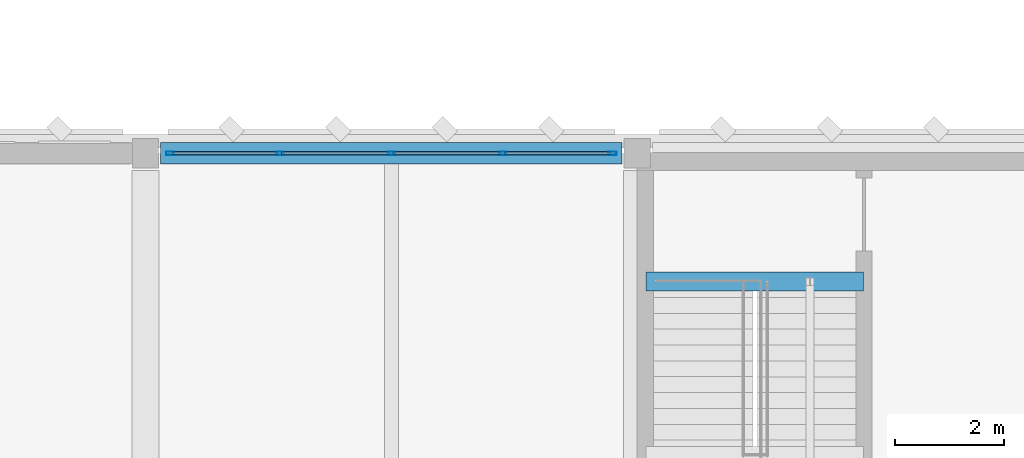
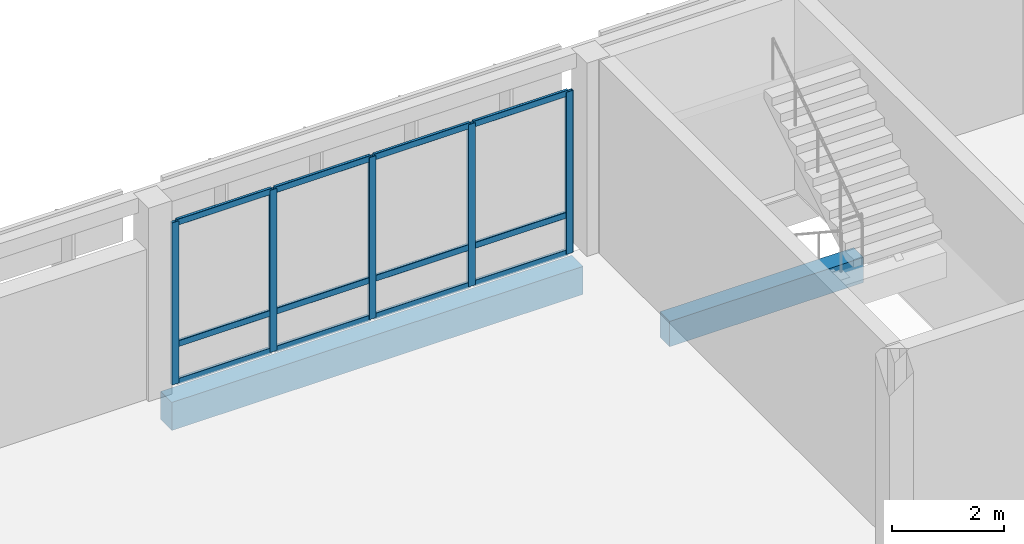
# One storey, part 45 of 72: 17 members, 2 beams, 1 element without a shape of its own.
"""IFC4 building model written with IfcOpenShell, lengths in metres."""

from ifc_helpers import new_model, si_unit, direction, frame, origin, origin_2d, place, context, subcontext, project, spatial, rectangle, hollow_rectangle, extrude, material, material_profile, profile_set, type_object, element, aggregate, save


model = new_model("IFC4")

# Units and contexts
model_context = context("Model", 3, precision=1e-05, world=origin(), true_north=direction((0.0, 1.0)))
body_context = subcontext(model_context, "Body", "Model", "MODEL_VIEW")
ifc_project = project(units=[si_unit("LENGTHUNIT", "METRE"), si_unit("AREAUNIT", "SQUARE_METRE"), si_unit("VOLUMEUNIT", "CUBIC_METRE"), si_unit("PLANEANGLEUNIT", "RADIAN"), si_unit("MASSUNIT", "GRAM", prefix="KILO")], contexts=[model_context])

# Site, building, storey
site_placement = place(None, origin())
site = spatial("IfcSite", under=ifc_project, at=site_placement, CompositionType="ELEMENT")
building_placement = place(site_placement, origin())
building = spatial("IfcBuilding", under=site, at=building_placement, Name="Lusvemor Sports Hall", CompositionType="ELEMENT")
storey_placement = place(building_placement, frame((0.0, 0.0, 15.0)))
storey = spatial("IfcBuildingStorey", under=building, at=storey_placement, Name="L03", CompositionType="ELEMENT", Elevation=15.0)

# Beam
ifc_material_1 = material(Name="Concrete C40/50", Category="concrete")
ifc_material_profile_1 = material_profile(ifc_material_1, rectangle(XDim=0.35009765625, YDim=0.550048828125, at=origin_2d()), Name="RC350x550")
ifc_profile_set_1 = profile_set([ifc_material_profile_1], Name="Concrete C40/50")
beam_type_1 = type_object("IfcBeamType", Name="BEAM_RC_550", PredefinedType="BEAM", material=ifc_profile_set_1)
beam_1_placement = place(storey_placement, frame((102.760009765625, 112.85009765625, -0.455078125), z_axis=(1.0, 0.0, 0.0), x_axis=(0.0, 1.0, 0.0)))
element("IfcBeam", 1, at=beam_1_placement, inside=storey, type_object=beam_type_1, Name="Stair STR-C4-L02 Top-Landing Beam", PredefinedType="BEAM", context=body_context, shape_type="SweptSolid", body=[
    extrude(rectangle(XDim=0.35009765625, YDim=0.550048828125, at=origin_2d()), origin(), (0.0, 0.0, 1.0), 3.97998046875),
])

# Curtain wall, members
ifc_material_2 = material(Name="Thermally broken bronze-anodized aluminium", Category="aluminium")
curtain_wall_type = type_object("IfcCurtainWallType", Name="CW_WING_B", PredefinedType="NOTDEFINED", material=ifc_material_2)
curtain_wall_placement = place(storey_placement, origin())
curtain_wall = element("IfcCurtainWall", 2, at=curtain_wall_placement, inside=storey, type_object=curtain_wall_type, Name="Curtain Wall CW-L03-N-1-9", PredefinedType="NOTDEFINED")
ifc_material_3 = material(Name="Thermally broken bronze-anodized aluminium", Category="aluminium")
ifc_material_profile_2 = material_profile(ifc_material_3, hollow_rectangle(XDim=0.06494140625, YDim=0.14990234375, WallThickness=0.00390625, InnerFilletRadius=0.00390625, OuterFilletRadius=0.008056640625, at=origin_2d()), Name="CWMUL150x65x4")
ifc_profile_set_2 = profile_set([ifc_material_profile_2], Name="Thermally broken bronze-anodized aluminium")
member_type_1 = type_object("IfcMemberType", Name="CW_MUL_B", PredefinedType="MULLION", material=ifc_profile_set_2)
member_1_placement = place(storey_placement, frame((94.052490234375, 115.199951171875, 0.0), z_axis=(0.0, 0.0, 1.0), x_axis=(0.0, 1.0, 0.0)))
member_1 = element("IfcMember", 3, at=member_1_placement, type_object=member_type_1, Name="CW02 mullion 1", PredefinedType="MULLION", context=body_context, shape_type="SweptSolid", body=[
    extrude(hollow_rectangle(XDim=0.06494140625, YDim=0.14990234375, WallThickness=0.00390625, InnerFilletRadius=0.00390625, OuterFilletRadius=0.008056640625, at=origin_2d()), origin(), (0.0, 0.0, 1.0), 3.52001953125),
])
member_2_placement = place(storey_placement, frame((96.06005859375, 115.199951171875, 0.0), z_axis=(0.0, 0.0, 1.0), x_axis=(0.0, 1.0, 0.0)))
member_2 = element("IfcMember", 4, at=member_2_placement, type_object=member_type_1, Name="CW02 mullion 2", PredefinedType="MULLION", context=body_context, shape_type="SweptSolid", body=[
    extrude(hollow_rectangle(XDim=0.06494140625, YDim=0.14990234375, WallThickness=0.00390625, InnerFilletRadius=0.00390625, OuterFilletRadius=0.008056640625, at=origin_2d()), origin(), (0.0, 0.0, 1.0), 3.52001953125),
])
member_3_placement = place(storey_placement, frame((98.10009765625, 115.199951171875, 0.0), z_axis=(0.0, 0.0, 1.0), x_axis=(0.0, 1.0, 0.0)))
member_3 = element("IfcMember", 5, at=member_3_placement, type_object=member_type_1, Name="CW02 mullion 3", PredefinedType="MULLION", context=body_context, shape_type="SweptSolid", body=[
    extrude(hollow_rectangle(XDim=0.06494140625, YDim=0.14990234375, WallThickness=0.00390625, InnerFilletRadius=0.00390625, OuterFilletRadius=0.008056640625, at=origin_2d()), origin(), (0.0, 0.0, 1.0), 3.52001953125),
])
member_4_placement = place(storey_placement, frame((100.139892578125, 115.199951171875, 0.0), z_axis=(0.0, 0.0, 1.0), x_axis=(0.0, 1.0, 0.0)))
member_4 = element("IfcMember", 6, at=member_4_placement, type_object=member_type_1, Name="CW02 mullion 4", PredefinedType="MULLION", context=body_context, shape_type="SweptSolid", body=[
    extrude(hollow_rectangle(XDim=0.06494140625, YDim=0.14990234375, WallThickness=0.00390625, InnerFilletRadius=0.00390625, OuterFilletRadius=0.008056640625, at=origin_2d()), origin(), (0.0, 0.0, 1.0), 3.52001953125),
])
member_5_placement = place(storey_placement, frame((102.1474609375, 115.199951171875, 0.0), z_axis=(0.0, 0.0, 1.0), x_axis=(0.0, 1.0, 0.0)))
member_5 = element("IfcMember", 7, at=member_5_placement, type_object=member_type_1, Name="CW02 mullion 5", PredefinedType="MULLION", context=body_context, shape_type="SweptSolid", body=[
    extrude(hollow_rectangle(XDim=0.06494140625, YDim=0.14990234375, WallThickness=0.00390625, InnerFilletRadius=0.00390625, OuterFilletRadius=0.008056640625, at=origin_2d()), origin(), (0.0, 0.0, 1.0), 3.52001953125),
])
ifc_material_4 = material(Name="Thermally broken bronze-anodized aluminium", Category="aluminium")
ifc_material_profile_3 = material_profile(ifc_material_4, hollow_rectangle(XDim=0.06005859375, YDim=0.135009765625, WallThickness=0.00390625, InnerFilletRadius=0.00390625, OuterFilletRadius=0.008056640625, at=origin_2d()), Name="CWTRN135x60x4")
ifc_profile_set_3 = profile_set([ifc_material_profile_3], Name="Thermally broken bronze-anodized aluminium")
member_type_2 = type_object("IfcMemberType", Name="CW_TRN_B", PredefinedType="USERDEFINED", material=ifc_profile_set_3)
member_6_placement = place(storey_placement, frame((94.0849609375, 115.199951171875, 0.030029296875), z_axis=(1.0, 0.0, 0.0), x_axis=(0.0, 1.0, 0.0)))
member_6 = element("IfcMember", 8, at=member_6_placement, type_object=member_type_2, Name="CW02 transom 1.1", ObjectType="TRANSOM", PredefinedType="USERDEFINED", context=body_context, shape_type="SweptSolid", body=[
    extrude(hollow_rectangle(XDim=0.06005859375, YDim=0.135009765625, WallThickness=0.00390625, InnerFilletRadius=0.00390625, OuterFilletRadius=0.008056640625, at=origin_2d()), origin(), (0.0, 0.0, 1.0), 1.942626953125),
])
member_7_placement = place(storey_placement, frame((94.0849609375, 115.199951171875, 0.85009765625), z_axis=(1.0, 0.0, 0.0), x_axis=(0.0, 1.0, 0.0)))
member_7 = element("IfcMember", 9, at=member_7_placement, type_object=member_type_2, Name="CW02 transom 1.2", ObjectType="TRANSOM", PredefinedType="USERDEFINED", context=body_context, shape_type="SweptSolid", body=[
    extrude(hollow_rectangle(XDim=0.06005859375, YDim=0.135009765625, WallThickness=0.00390625, InnerFilletRadius=0.00390625, OuterFilletRadius=0.008056640625, at=origin_2d()), origin(), (0.0, 0.0, 1.0), 1.942626953125),
])
member_8_placement = place(storey_placement, frame((94.0849609375, 115.199951171875, 3.489990234375), z_axis=(1.0, 0.0, 0.0), x_axis=(0.0, 1.0, 0.0)))
member_8 = element("IfcMember", 10, at=member_8_placement, type_object=member_type_2, Name="CW02 transom 1.3", ObjectType="TRANSOM", PredefinedType="USERDEFINED", context=body_context, shape_type="SweptSolid", body=[
    extrude(hollow_rectangle(XDim=0.06005859375, YDim=0.135009765625, WallThickness=0.00390625, InnerFilletRadius=0.00390625, OuterFilletRadius=0.008056640625, at=origin_2d()), origin(), (0.0, 0.0, 1.0), 1.942626953125),
])
member_9_placement = place(storey_placement, frame((96.092529296875, 115.199951171875, 0.030029296875), z_axis=(1.0, 0.0, 0.0), x_axis=(0.0, 1.0, 0.0)))
member_9 = element("IfcMember", 11, at=member_9_placement, type_object=member_type_2, Name="CW02 transom 2.1", ObjectType="TRANSOM", PredefinedType="USERDEFINED", context=body_context, shape_type="SweptSolid", body=[
    extrude(hollow_rectangle(XDim=0.06005859375, YDim=0.135009765625, WallThickness=0.00390625, InnerFilletRadius=0.00390625, OuterFilletRadius=0.008056640625, at=origin_2d()), origin(), (0.0, 0.0, 1.0), 1.974853515625),
])
member_10_placement = place(storey_placement, frame((96.092529296875, 115.199951171875, 0.85009765625), z_axis=(1.0, 0.0, 0.0), x_axis=(0.0, 1.0, 0.0)))
member_10 = element("IfcMember", 12, at=member_10_placement, type_object=member_type_2, Name="CW02 transom 2.2", ObjectType="TRANSOM", PredefinedType="USERDEFINED", context=body_context, shape_type="SweptSolid", body=[
    extrude(hollow_rectangle(XDim=0.06005859375, YDim=0.135009765625, WallThickness=0.00390625, InnerFilletRadius=0.00390625, OuterFilletRadius=0.008056640625, at=origin_2d()), origin(), (0.0, 0.0, 1.0), 1.974853515625),
])
member_11_placement = place(storey_placement, frame((96.092529296875, 115.199951171875, 3.489990234375), z_axis=(1.0, 0.0, 0.0), x_axis=(0.0, 1.0, 0.0)))
member_11 = element("IfcMember", 13, at=member_11_placement, type_object=member_type_2, Name="CW02 transom 2.3", ObjectType="TRANSOM", PredefinedType="USERDEFINED", context=body_context, shape_type="SweptSolid", body=[
    extrude(hollow_rectangle(XDim=0.06005859375, YDim=0.135009765625, WallThickness=0.00390625, InnerFilletRadius=0.00390625, OuterFilletRadius=0.008056640625, at=origin_2d()), origin(), (0.0, 0.0, 1.0), 1.974853515625),
])
member_12_placement = place(storey_placement, frame((98.132568359375, 115.199951171875, 0.030029296875), z_axis=(1.0, 0.0, 0.0), x_axis=(0.0, 1.0, 0.0)))
member_12 = element("IfcMember", 14, at=member_12_placement, type_object=member_type_2, Name="CW02 transom 3.1", ObjectType="TRANSOM", PredefinedType="USERDEFINED", context=body_context, shape_type="SweptSolid", body=[
    extrude(hollow_rectangle(XDim=0.06005859375, YDim=0.135009765625, WallThickness=0.00390625, InnerFilletRadius=0.00390625, OuterFilletRadius=0.008056640625, at=origin_2d()), origin(), (0.0, 0.0, 1.0), 1.974853515625),
])
member_13_placement = place(storey_placement, frame((98.132568359375, 115.199951171875, 0.85009765625), z_axis=(1.0, 0.0, 0.0), x_axis=(0.0, 1.0, 0.0)))
member_13 = element("IfcMember", 15, at=member_13_placement, type_object=member_type_2, Name="CW02 transom 3.2", ObjectType="TRANSOM", PredefinedType="USERDEFINED", context=body_context, shape_type="SweptSolid", body=[
    extrude(hollow_rectangle(XDim=0.06005859375, YDim=0.135009765625, WallThickness=0.00390625, InnerFilletRadius=0.00390625, OuterFilletRadius=0.008056640625, at=origin_2d()), origin(), (0.0, 0.0, 1.0), 1.974853515625),
])
member_14_placement = place(storey_placement, frame((98.132568359375, 115.199951171875, 3.489990234375), z_axis=(1.0, 0.0, 0.0), x_axis=(0.0, 1.0, 0.0)))
member_14 = element("IfcMember", 16, at=member_14_placement, type_object=member_type_2, Name="CW02 transom 3.3", ObjectType="TRANSOM", PredefinedType="USERDEFINED", context=body_context, shape_type="SweptSolid", body=[
    extrude(hollow_rectangle(XDim=0.06005859375, YDim=0.135009765625, WallThickness=0.00390625, InnerFilletRadius=0.00390625, OuterFilletRadius=0.008056640625, at=origin_2d()), origin(), (0.0, 0.0, 1.0), 1.974853515625),
])
member_15_placement = place(storey_placement, frame((100.172607421875, 115.199951171875, 0.030029296875), z_axis=(1.0, 0.0, 0.0), x_axis=(0.0, 1.0, 0.0)))
member_15 = element("IfcMember", 17, at=member_15_placement, type_object=member_type_2, Name="CW02 transom 4.1", ObjectType="TRANSOM", PredefinedType="USERDEFINED", context=body_context, shape_type="SweptSolid", body=[
    extrude(hollow_rectangle(XDim=0.06005859375, YDim=0.135009765625, WallThickness=0.00390625, InnerFilletRadius=0.00390625, OuterFilletRadius=0.008056640625, at=origin_2d()), origin(), (0.0, 0.0, 1.0), 1.9423828125),
])
member_16_placement = place(storey_placement, frame((100.172607421875, 115.199951171875, 0.85009765625), z_axis=(1.0, 0.0, 0.0), x_axis=(0.0, 1.0, 0.0)))
member_16 = element("IfcMember", 18, at=member_16_placement, type_object=member_type_2, Name="CW02 transom 4.2", ObjectType="TRANSOM", PredefinedType="USERDEFINED", context=body_context, shape_type="SweptSolid", body=[
    extrude(hollow_rectangle(XDim=0.06005859375, YDim=0.135009765625, WallThickness=0.00390625, InnerFilletRadius=0.00390625, OuterFilletRadius=0.008056640625, at=origin_2d()), origin(), (0.0, 0.0, 1.0), 1.9423828125),
])
member_17_placement = place(storey_placement, frame((100.172607421875, 115.199951171875, 3.489990234375), z_axis=(1.0, 0.0, 0.0), x_axis=(0.0, 1.0, 0.0)))
member_17 = element("IfcMember", 19, at=member_17_placement, type_object=member_type_2, Name="CW02 transom 4.3", ObjectType="TRANSOM", PredefinedType="USERDEFINED", context=body_context, shape_type="SweptSolid", body=[
    extrude(hollow_rectangle(XDim=0.06005859375, YDim=0.135009765625, WallThickness=0.00390625, InnerFilletRadius=0.00390625, OuterFilletRadius=0.008056640625, at=origin_2d()), origin(), (0.0, 0.0, 1.0), 1.9423828125),
])
aggregate(curtain_wall, [member_1, member_2, member_3, member_4, member_5, member_6, member_7, member_8, member_9, member_10, member_11, member_12, member_13, member_14, member_15, member_16, member_17])

# Beam
ifc_material_5 = material(Name="Concrete C40/50", Category="concrete")
ifc_material_profile_4 = material_profile(ifc_material_5, rectangle(XDim=0.39990234375, YDim=0.610107421875, at=origin_2d()), Name="RC400x610")
ifc_profile_set_4 = profile_set([ifc_material_profile_4], Name="Concrete C40/50")
beam_type_2 = type_object("IfcBeamType", Name="SPAND_EXT_650", PredefinedType="SPANDREL", material=ifc_profile_set_4)
beam_2_placement = place(storey_placement, frame((93.8759765625, 115.199951171875, -0.544921875), z_axis=(1.0, 0.0, 0.0), x_axis=(0.0, 1.0, 0.0)))
element("IfcBeam", 20, at=beam_2_placement, inside=storey, type_object=beam_type_2, Name="Beam L03 Q:10-11", PredefinedType="SPANDREL", context=body_context, shape_type="SweptSolid", body=[
    extrude(rectangle(XDim=0.39990234375, YDim=0.610107421875, at=origin_2d()), origin(), (0.0, 0.0, 1.0), 8.447998046875),
])

save(model, "model.ifc")
